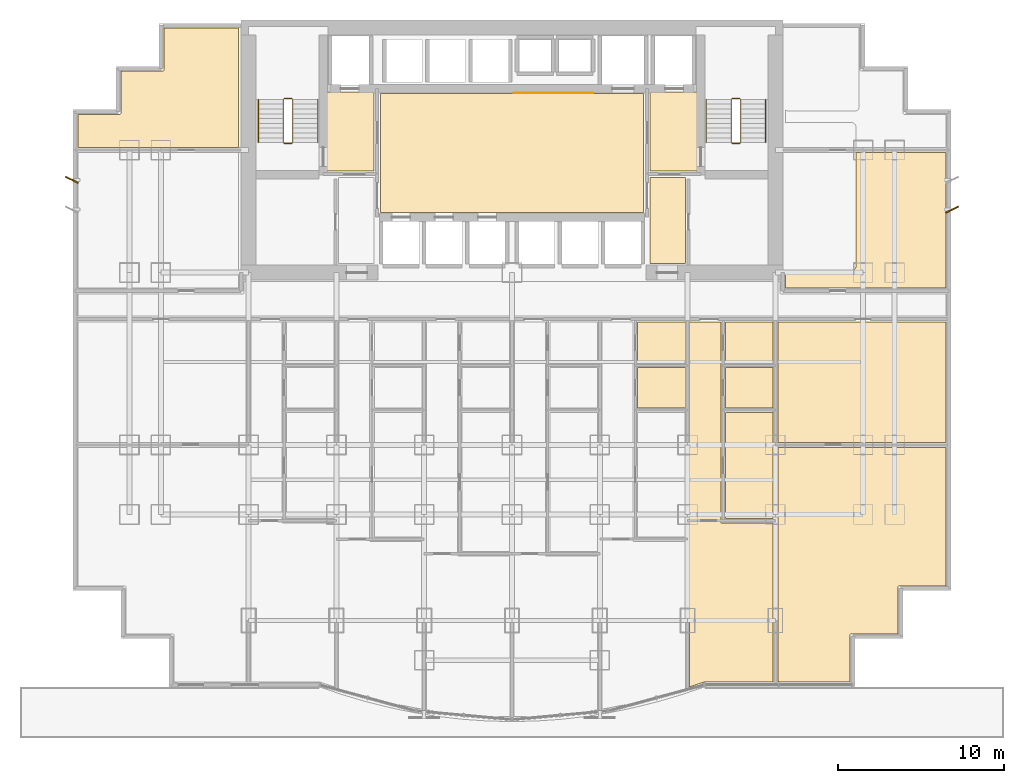
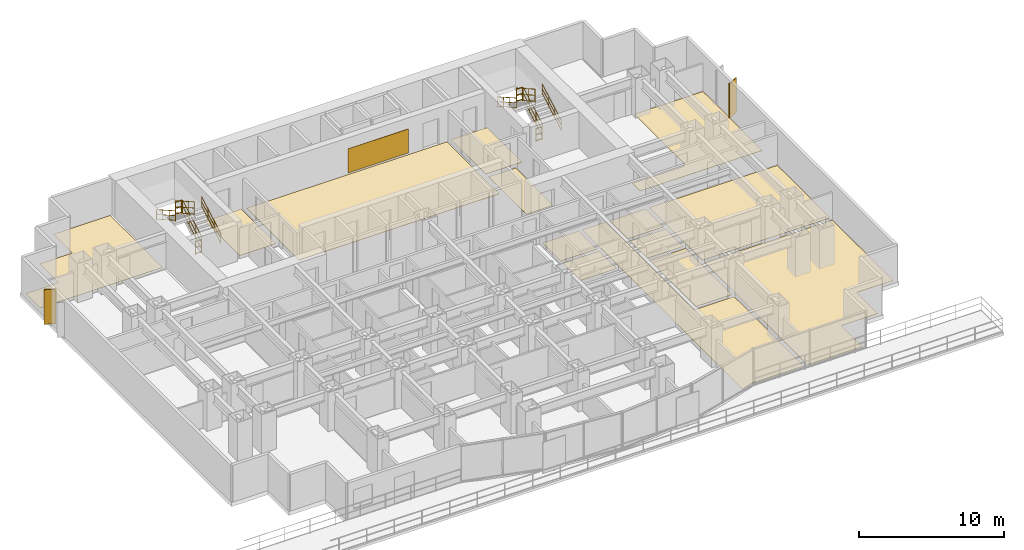
# One storey, part 10 of 11: 15 coverings, 12 railings, 2 shading devices.
"""IFC4 building model written with IfcOpenShell, lengths in metres."""

from ifc_helpers import new_model, si_unit, direction, frame, origin, origin_2d, place, context, subcontext, project, spatial, polyline, rectangle, circle, outline, extrude, source, transform, mapped, material, layer, layer_set, type_object, element, save


model = new_model("IFC4")

# Units and contexts
model_context = context("Model", 3, precision=1e-05, world=origin(), true_north=direction((0.0, 1.0)))
body_context = subcontext(model_context, "Body", "Model", "MODEL_VIEW")
ifc_project = project(units=[si_unit("LENGTHUNIT", "METRE"), si_unit("AREAUNIT", "SQUARE_METRE"), si_unit("VOLUMEUNIT", "CUBIC_METRE"), si_unit("PLANEANGLEUNIT", "RADIAN"), si_unit("MASSUNIT", "GRAM", prefix="KILO")], contexts=[model_context])

# Site, building, storey
site_placement = place(None, origin())
site = spatial("IfcSite", under=ifc_project, at=site_placement, CompositionType="ELEMENT")
building_placement = place(site_placement, origin())
building = spatial("IfcBuilding", under=site, at=building_placement, Name="Qianlan Lanfeng Residences", CompositionType="ELEMENT")
storey_placement = place(building_placement, frame((0.0, 0.0, 24.199951171875)))
storey = spatial("IfcBuildingStorey", under=building, at=storey_placement, Name="L05", CompositionType="ELEMENT", Elevation=24.199951171875)

# Coverings
ifc_material_1 = material(Name="Anodised Bronze Feature Wall Cladding")
ifc_layer_1 = layer(ifc_material_1, 0.02490234375)
ifc_layer_set_1 = layer_set([ifc_layer_1], Name="Anodised Bronze Feature Wall Cladding")
covering_type_1 = type_object("IfcCoveringType", Name="CLD-BRZ-25", PredefinedType="CLADDING", material=ifc_layer_set_1)
covering_1_placement = place(storey_placement, frame((0.0, 0.0, 0.150146484375)))
element("IfcCovering", 1, at=covering_1_placement, inside=storey, type_object=covering_type_1, Name="L05 Lift Lobby Bronze Feature Cladding", PredefinedType="CLADDING", context=body_context, shape_type="SweptSolid", body=[
    extrude(outline(polyline([(26.60009765625, 36.02490234375), (31.39990234375, 36.02490234375), (31.39990234375, 36.050048828125), (26.60009765625, 36.050048828125), (26.60009765625, 36.02490234375)])), origin(), (0.0, 0.0, 1.0), 2.02001953125),
])
ifc_material_2 = material(Name="Honed Taitung Granite Stone Flooring", Category="masonry")
ifc_layer_2 = layer(ifc_material_2, 0.030029296875)
ifc_layer_set_2 = layer_set([ifc_layer_2], Name="Honed Taitung Granite Stone Flooring")
covering_type_2 = type_object("IfcCoveringType", Name="FLR-STN-30", PredefinedType="FLOORING", material=ifc_layer_set_2)
covering_2_placement = place(storey_placement, origin())
element("IfcCovering", 2, at=covering_2_placement, inside=storey, type_object=covering_type_2, Name="L05 Firefighting Lift Lobby Floor Finish", PredefinedType="FLOORING", context=body_context, shape_type="SweptSolid", body=[
    extrude(outline(polyline([(15.2900390625, 31.320068359375), (18.179931640625, 31.320068359375), (18.179931640625, 36.110107421875), (15.2900390625, 36.110107421875), (15.2900390625, 31.320068359375)])), origin(), (0.0, 0.0, 1.0), 0.030029296875),
])
covering_3_placement = place(storey_placement, origin())
element("IfcCovering", 3, at=covering_3_placement, inside=storey, type_object=covering_type_2, Name="L05 Firefighting Lift Lobby Floor Finish", PredefinedType="FLOORING", context=body_context, shape_type="SweptSolid", body=[
    extrude(outline(polyline([(34.820068359375, 31.320068359375), (37.7099609375, 31.320068359375), (37.7099609375, 36.110107421875), (34.820068359375, 36.110107421875), (34.820068359375, 31.320068359375)])), origin(), (0.0, 0.0, 1.0), 0.030029296875),
])
covering_4_placement = place(storey_placement, origin())
element("IfcCovering", 4, at=covering_4_placement, inside=storey, type_object=covering_type_2, Name="L05 Lift Lobby Floor Finish", PredefinedType="FLOORING", context=body_context, shape_type="SweptSolid", body=[
    extrude(outline(polyline([(18.550048828125, 28.820068359375), (34.449951171875, 28.820068359375), (34.449951171875, 36.010009765625), (18.550048828125, 36.010009765625), (18.550048828125, 28.820068359375)])), origin(), (0.0, 0.0, 1.0), 0.030029296875),
])
covering_5_placement = place(storey_placement, origin())
element("IfcCovering", 5, at=covering_5_placement, inside=storey, type_object=covering_type_2, Name="L05 Lift Lobby Floor Finish", PredefinedType="FLOORING", context=body_context, shape_type="SweptSolid", body=[
    extrude(outline(polyline([(34.830078125, 25.760009765625), (36.969970703125, 25.760009765625), (36.969970703125, 30.949951171875), (34.830078125, 30.949951171875), (34.830078125, 25.760009765625)])), origin(), (0.0, 0.0, 1.0), 0.030029296875),
])
ifc_material_3 = material(Name="Slip-Resistant Porcelain Tile Flooring")
ifc_layer_3 = layer(ifc_material_3, 0.02001953125)
ifc_layer_set_3 = layer_set([ifc_layer_3], Name="Slip-Resistant Porcelain Tile Flooring")
covering_type_3 = type_object("IfcCoveringType", Name="FLR-TIL-20", PredefinedType="FLOORING", material=ifc_layer_set_3)
covering_6_placement = place(storey_placement, origin())
element("IfcCovering", 6, at=covering_6_placement, inside=storey, type_object=covering_type_3, Name="L05 Kitchen Floor Finish", PredefinedType="FLOORING", context=body_context, shape_type="SweptSolid", body=[
    extrude(outline(polyline([(34.090087890625, 17.0400390625), (36.9599609375, 17.0400390625), (36.9599609375, 19.4599609375), (34.090087890625, 19.4599609375), (34.090087890625, 17.0400390625)])), origin(), (0.0, 0.0, 1.0), 0.02001953125),
])
covering_7_placement = place(storey_placement, origin())
element("IfcCovering", 7, at=covering_7_placement, inside=storey, type_object=covering_type_3, Name="L05 Bathroom Floor Finish", PredefinedType="FLOORING", context=body_context, shape_type="SweptSolid", body=[
    extrude(outline(polyline([(34.090087890625, 19.739990234375), (36.9599609375, 19.739990234375), (36.9599609375, 22.22998046875), (34.090087890625, 22.22998046875), (34.090087890625, 19.739990234375)])), origin(), (0.0, 0.0, 1.0), 0.02001953125),
])
covering_8_placement = place(storey_placement, origin())
element("IfcCovering", 8, at=covering_8_placement, inside=storey, type_object=covering_type_3, Name="L05 Kitchen Floor Finish", PredefinedType="FLOORING", context=body_context, shape_type="SweptSolid", body=[
    extrude(outline(polyline([(39.389892578125, 17.0400390625), (42.260009765625, 17.0400390625), (42.260009765625, 19.4599609375), (39.389892578125, 19.4599609375), (39.389892578125, 17.0400390625)])), origin(), (0.0, 0.0, 1.0), 0.02001953125),
])
covering_9_placement = place(storey_placement, origin())
element("IfcCovering", 9, at=covering_9_placement, inside=storey, type_object=covering_type_3, Name="L05 Bathroom Floor Finish", PredefinedType="FLOORING", context=body_context, shape_type="SweptSolid", body=[
    extrude(outline(polyline([(39.389892578125, 19.739990234375), (42.260009765625, 19.739990234375), (42.260009765625, 22.22998046875), (39.389892578125, 22.22998046875), (39.389892578125, 19.739990234375)])), origin(), (0.0, 0.0, 1.0), 0.02001953125),
])
ifc_material_4 = material(Name="Engineered Smoked Oak Timber Flooring", Category="wood")
ifc_layer_4 = layer(ifc_material_4, 0.02197265625)
ifc_layer_set_4 = layer_set([ifc_layer_4], Name="Engineered Smoked Oak Timber Flooring")
covering_type_4 = type_object("IfcCoveringType", Name="FLR-TIM-22", PredefinedType="FLOORING", material=ifc_layer_set_4)
covering_10_placement = place(storey_placement, origin())
element("IfcCovering", 10, at=covering_10_placement, inside=storey, type_object=covering_type_4, Name="L05 Studio Living Room Floor Finish", PredefinedType="FLOORING", context=body_context, shape_type="SweptSolid", body=[
    extrude(outline(polyline([(42.27001953125, 0.489990234375), (42.27001953125, 10.080078125), (39.179931640625, 10.080078125), (39.173095703125, 10.080078125), (39.166015625, 10.0810546875), (39.159912109375, 10.0830078125), (39.153076171875, 10.0849609375), (39.14697265625, 10.087890625), (39.14111328125, 10.092041015625), (39.135986328125, 10.095947265625), (39.131103515625, 10.10107421875), (39.1259765625, 10.10595703125), (39.1220703125, 10.111083984375), (39.117919921875, 10.116943359375), (39.114990234375, 10.123046875), (39.113037109375, 10.1298828125), (39.111083984375, 10.135986328125), (39.110107421875, 10.14306640625), (39.110107421875, 10.14990234375), (39.110107421875, 22.22998046875), (37.22998046875, 22.22998046875), (37.22998046875, 0.195068359375), (38.091064453125, 0.486083984375), (38.09912109375, 0.488037109375), (38.10595703125, 0.489990234375), (38.114013671875, 0.489990234375), (42.27001953125, 0.489990234375)])), origin(), (0.0, 0.0, 1.0), 0.02197265625),
])
covering_11_placement = place(storey_placement, origin())
element("IfcCovering", 11, at=covering_11_placement, inside=storey, type_object=covering_type_4, Name="L05 Villa Family Sitting Room Floor Finish", PredefinedType="FLOORING", context=body_context, shape_type="SweptSolid", body=[
    extrude(outline(polyline([(39.389892578125, 16.760009765625), (39.389892578125, 10.360107421875), (42.27001953125, 10.360107421875), (42.27001953125, 16.760009765625), (39.389892578125, 16.760009765625)])), origin(), (0.0, 0.0, 1.0), 0.02197265625),
])
covering_12_placement = place(storey_placement, origin())
element("IfcCovering", 12, at=covering_12_placement, inside=storey, type_object=covering_type_4, Name="L05 Sunroom Floor Finish", PredefinedType="FLOORING", context=body_context, shape_type="SweptSolid", body=[
    extrude(outline(polyline([(52.7099609375, 14.64990234375), (42.56005859375, 14.64990234375), (42.56005859375, 0.489990234375), (46.909912109375, 0.489990234375), (46.909912109375, 3.320068359375), (46.909912109375, 3.326904296875), (46.910888671875, 3.333984375), (46.9130859375, 3.340087890625), (46.9150390625, 3.346923828125), (46.91796875, 3.35302734375), (46.922119140625, 3.35888671875), (46.926025390625, 3.364013671875), (46.930908203125, 3.368896484375), (46.93603515625, 3.3740234375), (46.94091796875, 3.3779296875), (46.947021484375, 3.382080078125), (46.952880859375, 3.385009765625), (46.9599609375, 3.386962890625), (46.966064453125, 3.388916015625), (46.972900390625, 3.389892578125), (46.97998046875, 3.389892578125), (49.81005859375, 3.389892578125), (49.81005859375, 6.219970703125), (49.81005859375, 6.22705078125), (49.81103515625, 6.23388671875), (49.81298828125, 6.239990234375), (49.81494140625, 6.2470703125), (49.818115234375, 6.2529296875), (49.822021484375, 6.259033203125), (49.825927734375, 6.263916015625), (49.8310546875, 6.26904296875), (49.8359375, 6.27392578125), (49.841064453125, 6.278076171875), (49.846923828125, 6.281982421875), (49.85302734375, 6.284912109375), (49.860107421875, 6.287109375), (49.865966796875, 6.2890625), (49.873046875, 6.2900390625), (49.8798828125, 6.2900390625), (52.7099609375, 6.2900390625), (52.7099609375, 14.64990234375)])), origin(), (0.0, 0.0, 1.0), 0.02197265625),
])
covering_13_placement = place(storey_placement, origin())
element("IfcCovering", 13, at=covering_13_placement, inside=storey, type_object=covering_type_4, Name="L05 Private Study Floor Finish", PredefinedType="FLOORING", context=body_context, shape_type="SweptSolid", body=[
    extrude(outline(polyline([(52.7099609375, 22.22998046875), (42.56005859375, 22.22998046875), (42.56005859375, 14.949951171875), (52.7099609375, 14.949951171875), (52.7099609375, 22.22998046875)])), origin(), (0.0, 0.0, 1.0), 0.02197265625),
])
covering_14_placement = place(storey_placement, origin())
element("IfcCovering", 14, at=covering_14_placement, inside=storey, type_object=covering_type_4, Name="L05 Resident Lounge Floor Finish", PredefinedType="FLOORING", context=body_context, shape_type="SweptSolid", body=[
    extrude(outline(polyline([(0.2900390625, 32.75), (10.0, 32.75), (10.0, 39.9599609375), (5.489990234375, 39.9599609375), (5.489990234375, 37.429931640625), (5.489990234375, 37.423095703125), (5.489013671875, 37.416015625), (5.487060546875, 37.409912109375), (5.485107421875, 37.403076171875), (5.48193359375, 37.39697265625), (5.47802734375, 37.39111328125), (5.47412109375, 37.385986328125), (5.468994140625, 37.381103515625), (5.464111328125, 37.3759765625), (5.458984375, 37.3720703125), (5.452880859375, 37.367919921875), (5.447021484375, 37.364990234375), (5.43994140625, 37.363037109375), (5.43408203125, 37.361083984375), (5.427001953125, 37.360107421875), (5.419921875, 37.360107421875), (2.889892578125, 37.360107421875), (2.889892578125, 34.830078125), (2.889892578125, 34.822998046875), (2.888916015625, 34.81591796875), (2.886962890625, 34.81005859375), (2.885009765625, 34.802978515625), (2.882080078125, 34.797119140625), (2.8779296875, 34.791015625), (2.8740234375, 34.785888671875), (2.868896484375, 34.781005859375), (2.864013671875, 34.77587890625), (2.85888671875, 34.77197265625), (2.85302734375, 34.76806640625), (2.846923828125, 34.764892578125), (2.840087890625, 34.762939453125), (2.833984375, 34.760986328125), (2.826904296875, 34.760009765625), (2.820068359375, 34.760009765625), (0.2900390625, 34.760009765625), (0.2900390625, 32.75)])), origin(), (0.0, 0.0, 1.0), 0.02197265625),
])
covering_15_placement = place(storey_placement, origin())
element("IfcCovering", 15, at=covering_15_placement, inside=storey, type_object=covering_type_4, Name="L05 Co-Working Business Suite Floor Finish", PredefinedType="FLOORING", context=body_context, shape_type="SweptSolid", body=[
    extrude(outline(polyline([(52.7099609375, 32.449951171875), (47.27001953125, 32.449951171875), (47.27001953125, 25.60009765625), (47.26904296875, 25.574951171875), (47.264892578125, 25.551025390625), (47.259033203125, 25.527099609375), (47.2509765625, 25.50390625), (47.239990234375, 25.48193359375), (47.22802734375, 25.4609375), (47.212890625, 25.44091796875), (47.197021484375, 25.423095703125), (47.178955078125, 25.406982421875), (47.158935546875, 25.39208984375), (47.137939453125, 25.3798828125), (47.115966796875, 25.368896484375), (47.093017578125, 25.361083984375), (47.069091796875, 25.35498046875), (47.044921875, 25.35107421875), (47.02001953125, 25.35009765625), (43.080078125, 25.35009765625), (43.054931640625, 25.35107421875), (43.031005859375, 25.35498046875), (43.007080078125, 25.361083984375), (43.0, 25.363037109375), (43.0, 24.280029296875), (52.7099609375, 24.280029296875), (52.7099609375, 32.449951171875)])), origin(), (0.0, 0.0, 1.0), 0.02197265625),
])

# Railings
ifc_material_5 = material(Name="Painted Galvanised Steel Guardrail", Category="steel")
railing_type_1 = type_object("IfcRailingType", Name="GR-ST-1120", PredefinedType="GUARDRAIL", material=ifc_material_5)
railing_1_placement = place(storey_placement, frame((13.27001953125, 33.050048828125, 0.1650390625)))
element("IfcRailing", 16, at=railing_1_placement, inside=storey, type_object=railing_type_1, Name="L05 ST-1 stair guard 1", PredefinedType="GUARDRAIL", context=body_context, shape_type="SweptSolid", body=[
    extrude(circle(Radius=0.02392578125, at=origin_2d()), frame((0.0, 0.0, 0.083984375), z_axis=(0.0, 0.869137319866, 0.494570843475), x_axis=(-1.0, 0.0, 0.0)), (0.0, 0.0, 1.0), 3.0029296875),
    extrude(circle(Radius=0.02392578125, at=origin_2d()), frame((0.0, 0.0, 0.58251953125), z_axis=(0.0, 0.869137319866, 0.494570843475), x_axis=(-1.0, 0.0, 0.0)), (0.0, 0.0, 1.0), 3.0029296875),
    extrude(circle(Radius=0.02392578125, at=origin_2d()), frame((0.0, 0.0, 1.09619140625), z_axis=(0.0, 0.869137319866, 0.494570843475), x_axis=(-1.0, 0.0, 0.0)), (0.0, 0.0, 1.0), 3.0029296875),
    extrude(circle(Radius=0.02099609375, at=origin_2d()), origin(), (0.0, 0.0, 1.0), 1.072021484375),
    extrude(circle(Radius=0.02099609375, at=origin_2d()), frame((0.0, 0.869873046875, 0.4951171875)), (0.0, 0.0, 1.0), 1.072021484375),
    extrude(circle(Radius=0.02099609375, at=origin_2d()), frame((0.0, 1.739990234375, 0.989990234375)), (0.0, 0.0, 1.0), 1.072021484375),
    extrude(circle(Radius=0.02099609375, at=origin_2d()), frame((0.0, 2.60986328125, 1.485107421875)), (0.0, 0.0, 1.0), 1.072021484375),
])
railing_2_placement = place(storey_placement, frame((13.219970703125, 35.7099609375, 1.650146484375)))
element("IfcRailing", 17, at=railing_2_placement, inside=storey, type_object=railing_type_1, Name="L05 ST-1 stair guard 2", PredefinedType="GUARDRAIL", context=body_context, shape_type="SweptSolid", body=[
    extrude(circle(Radius=0.02392578125, at=origin_2d()), frame((0.0, 0.0, 0.083984375), z_axis=(-1.0, 0.0, 0.0), x_axis=(0.0, -1.0, 0.0)), (0.0, 0.0, 1.0), 0.47998046875),
    extrude(circle(Radius=0.02392578125, at=origin_2d()), frame((0.0, 0.0, 0.58251953125), z_axis=(-1.0, 0.0, 0.0), x_axis=(0.0, -1.0, 0.0)), (0.0, 0.0, 1.0), 0.47998046875),
    extrude(circle(Radius=0.02392578125, at=origin_2d()), frame((0.0, 0.0, 1.09619140625), z_axis=(-1.0, 0.0, 0.0), x_axis=(0.0, -1.0, 0.0)), (0.0, 0.0, 1.0), 0.47998046875),
    extrude(circle(Radius=0.02099609375, at=origin_2d()), origin(), (0.0, 0.0, 1.0), 1.072021484375),
    extrude(circle(Radius=0.02099609375, at=origin_2d()), frame((-0.47998046875, 0.0, 0.0)), (0.0, 0.0, 1.0), 1.072021484375),
])
railing_3_placement = place(storey_placement, frame((12.68994140625, 35.659912109375, 1.81494140625)))
element("IfcRailing", 18, at=railing_3_placement, inside=storey, type_object=railing_type_1, Name="L05 ST-1 stair guard 3", PredefinedType="GUARDRAIL", context=body_context, shape_type="SweptSolid", body=[
    extrude(circle(Radius=0.02392578125, at=origin_2d()), frame((0.0, 0.0, 0.083984375), z_axis=(0.0, -0.869137319866, 0.494570843475), x_axis=(1.0, 0.0, 0.0)), (0.0, 0.0, 1.0), 3.0029296875),
    extrude(circle(Radius=0.02392578125, at=origin_2d()), frame((0.0, 0.0, 0.58251953125), z_axis=(0.0, -0.869137319866, 0.494570843475), x_axis=(1.0, 0.0, 0.0)), (0.0, 0.0, 1.0), 3.0029296875),
    extrude(circle(Radius=0.02392578125, at=origin_2d()), frame((0.0, 0.0, 1.09619140625), z_axis=(0.0, -0.869137319866, 0.494570843475), x_axis=(1.0, 0.0, 0.0)), (0.0, 0.0, 1.0), 3.0029296875),
    extrude(circle(Radius=0.02099609375, at=origin_2d()), origin(), (0.0, 0.0, 1.0), 1.072021484375),
    extrude(circle(Radius=0.02099609375, at=origin_2d()), frame((0.0, -0.869873046875, 0.4951171875)), (0.0, 0.0, 1.0), 1.072021484375),
    extrude(circle(Radius=0.02099609375, at=origin_2d()), frame((0.0, -1.739990234375, 0.989990234375)), (0.0, 0.0, 1.0), 1.072021484375),
    extrude(circle(Radius=0.02099609375, at=origin_2d()), frame((0.0, -2.60986328125, 1.485107421875)), (0.0, 0.0, 1.0), 1.072021484375),
])
railing_4_placement = place(storey_placement, frame((13.219970703125, 33.0, 0.0)))
element("IfcRailing", 19, at=railing_4_placement, inside=storey, type_object=railing_type_1, Name="L05 ST-1 stair guard 4", PredefinedType="GUARDRAIL", context=body_context, shape_type="SweptSolid", body=[
    extrude(circle(Radius=0.02392578125, at=origin_2d()), frame((0.0, 0.0, 0.083984375), z_axis=(-1.0, 0.0, 0.0), x_axis=(0.0, -1.0, 0.0)), (0.0, 0.0, 1.0), 0.47998046875),
    extrude(circle(Radius=0.02392578125, at=origin_2d()), frame((0.0, 0.0, 0.58251953125), z_axis=(-1.0, 0.0, 0.0), x_axis=(0.0, -1.0, 0.0)), (0.0, 0.0, 1.0), 0.47998046875),
    extrude(circle(Radius=0.02392578125, at=origin_2d()), frame((0.0, 0.0, 1.09619140625), z_axis=(-1.0, 0.0, 0.0), x_axis=(0.0, -1.0, 0.0)), (0.0, 0.0, 1.0), 0.47998046875),
    extrude(circle(Radius=0.02099609375, at=origin_2d()), origin(), (0.0, 0.0, 1.0), 1.072021484375),
    extrude(circle(Radius=0.02099609375, at=origin_2d()), frame((-0.47998046875, 0.0, 0.0)), (0.0, 0.0, 1.0), 1.072021484375),
])
railing_5_placement = place(storey_placement, frame((40.31005859375, 33.050048828125, 0.1650390625)))
element("IfcRailing", 20, at=railing_5_placement, inside=storey, type_object=railing_type_1, Name="L05 ST-2 stair guard 1", PredefinedType="GUARDRAIL", context=body_context, shape_type="SweptSolid", body=[
    extrude(circle(Radius=0.02392578125, at=origin_2d()), frame((0.0, 0.0, 0.083984375), z_axis=(0.0, 0.869137319866, 0.494570843475), x_axis=(-1.0, 0.0, 0.0)), (0.0, 0.0, 1.0), 3.0029296875),
    extrude(circle(Radius=0.02392578125, at=origin_2d()), frame((0.0, 0.0, 0.58251953125), z_axis=(0.0, 0.869137319866, 0.494570843475), x_axis=(-1.0, 0.0, 0.0)), (0.0, 0.0, 1.0), 3.0029296875),
    extrude(circle(Radius=0.02392578125, at=origin_2d()), frame((0.0, 0.0, 1.09619140625), z_axis=(0.0, 0.869137319866, 0.494570843475), x_axis=(-1.0, 0.0, 0.0)), (0.0, 0.0, 1.0), 3.0029296875),
    extrude(circle(Radius=0.02099609375, at=origin_2d()), origin(), (0.0, 0.0, 1.0), 1.072021484375),
    extrude(circle(Radius=0.02099609375, at=origin_2d()), frame((0.0, 0.869873046875, 0.4951171875)), (0.0, 0.0, 1.0), 1.072021484375),
    extrude(circle(Radius=0.02099609375, at=origin_2d()), frame((0.0, 1.739990234375, 0.989990234375)), (0.0, 0.0, 1.0), 1.072021484375),
    extrude(circle(Radius=0.02099609375, at=origin_2d()), frame((0.0, 2.60986328125, 1.485107421875)), (0.0, 0.0, 1.0), 1.072021484375),
])
railing_6_placement = place(storey_placement, frame((40.260009765625, 35.7099609375, 1.650146484375)))
element("IfcRailing", 21, at=railing_6_placement, inside=storey, type_object=railing_type_1, Name="L05 ST-2 stair guard 2", PredefinedType="GUARDRAIL", context=body_context, shape_type="SweptSolid", body=[
    extrude(circle(Radius=0.02392578125, at=origin_2d()), frame((0.0, 0.0, 0.083984375), z_axis=(-1.0, 0.0, 0.0), x_axis=(0.0, -1.0, 0.0)), (0.0, 0.0, 1.0), 0.47998046875),
    extrude(circle(Radius=0.02392578125, at=origin_2d()), frame((0.0, 0.0, 0.58251953125), z_axis=(-1.0, 0.0, 0.0), x_axis=(0.0, -1.0, 0.0)), (0.0, 0.0, 1.0), 0.47998046875),
    extrude(circle(Radius=0.02392578125, at=origin_2d()), frame((0.0, 0.0, 1.09619140625), z_axis=(-1.0, 0.0, 0.0), x_axis=(0.0, -1.0, 0.0)), (0.0, 0.0, 1.0), 0.47998046875),
    extrude(circle(Radius=0.02099609375, at=origin_2d()), origin(), (0.0, 0.0, 1.0), 1.072021484375),
    extrude(circle(Radius=0.02099609375, at=origin_2d()), frame((-0.47998046875, 0.0, 0.0)), (0.0, 0.0, 1.0), 1.072021484375),
])
railing_7_placement = place(storey_placement, frame((39.72998046875, 35.659912109375, 1.81494140625)))
element("IfcRailing", 22, at=railing_7_placement, inside=storey, type_object=railing_type_1, Name="L05 ST-2 stair guard 3", PredefinedType="GUARDRAIL", context=body_context, shape_type="SweptSolid", body=[
    extrude(circle(Radius=0.02392578125, at=origin_2d()), frame((0.0, 0.0, 0.083984375), z_axis=(0.0, -0.869137319866, 0.494570843475), x_axis=(1.0, 0.0, 0.0)), (0.0, 0.0, 1.0), 3.0029296875),
    extrude(circle(Radius=0.02392578125, at=origin_2d()), frame((0.0, 0.0, 0.58251953125), z_axis=(0.0, -0.869137319866, 0.494570843475), x_axis=(1.0, 0.0, 0.0)), (0.0, 0.0, 1.0), 3.0029296875),
    extrude(circle(Radius=0.02392578125, at=origin_2d()), frame((0.0, 0.0, 1.09619140625), z_axis=(0.0, -0.869137319866, 0.494570843475), x_axis=(1.0, 0.0, 0.0)), (0.0, 0.0, 1.0), 3.0029296875),
    extrude(circle(Radius=0.02099609375, at=origin_2d()), origin(), (0.0, 0.0, 1.0), 1.072021484375),
    extrude(circle(Radius=0.02099609375, at=origin_2d()), frame((0.0, -0.869873046875, 0.4951171875)), (0.0, 0.0, 1.0), 1.072021484375),
    extrude(circle(Radius=0.02099609375, at=origin_2d()), frame((0.0, -1.739990234375, 0.989990234375)), (0.0, 0.0, 1.0), 1.072021484375),
    extrude(circle(Radius=0.02099609375, at=origin_2d()), frame((0.0, -2.60986328125, 1.485107421875)), (0.0, 0.0, 1.0), 1.072021484375),
])
railing_8_placement = place(storey_placement, frame((40.260009765625, 33.0, 0.0)))
element("IfcRailing", 23, at=railing_8_placement, inside=storey, type_object=railing_type_1, Name="L05 ST-2 stair guard 4", PredefinedType="GUARDRAIL", context=body_context, shape_type="SweptSolid", body=[
    extrude(circle(Radius=0.02392578125, at=origin_2d()), frame((0.0, 0.0, 0.083984375), z_axis=(-1.0, 0.0, 0.0), x_axis=(0.0, -1.0, 0.0)), (0.0, 0.0, 1.0), 0.47998046875),
    extrude(circle(Radius=0.02392578125, at=origin_2d()), frame((0.0, 0.0, 0.58251953125), z_axis=(-1.0, 0.0, 0.0), x_axis=(0.0, -1.0, 0.0)), (0.0, 0.0, 1.0), 0.47998046875),
    extrude(circle(Radius=0.02392578125, at=origin_2d()), frame((0.0, 0.0, 1.09619140625), z_axis=(-1.0, 0.0, 0.0), x_axis=(0.0, -1.0, 0.0)), (0.0, 0.0, 1.0), 0.47998046875),
    extrude(circle(Radius=0.02099609375, at=origin_2d()), origin(), (0.0, 0.0, 1.0), 1.072021484375),
    extrude(circle(Radius=0.02099609375, at=origin_2d()), frame((-0.47998046875, 0.0, 0.0)), (0.0, 0.0, 1.0), 1.072021484375),
])
ifc_material_6 = material(Name="Brushed Stainless Steel Handrail", Category="steel")
railing_type_2 = type_object("IfcRailingType", Name="HR-ST-920", PredefinedType="HANDRAIL", material=ifc_material_6)
railing_9_placement = place(storey_placement, frame((14.77001953125, 33.050048828125, 0.1650390625)))
element("IfcRailing", 24, at=railing_9_placement, inside=storey, type_object=railing_type_2, Name="L05 ST-1 stair handrail 1", PredefinedType="HANDRAIL", context=body_context, shape_type="SweptSolid", body=[
    extrude(circle(Radius=0.02392578125, at=origin_2d()), frame((0.0, 0.0, 0.083984375), z_axis=(0.0, 0.869137319866, 0.494570843475), x_axis=(-1.0, 0.0, 0.0)), (0.0, 0.0, 1.0), 3.0029296875),
    extrude(circle(Radius=0.02392578125, at=origin_2d()), frame((0.0, 0.0, 0.468017578125), z_axis=(0.0, 0.869137319866, 0.494570843475), x_axis=(-1.0, 0.0, 0.0)), (0.0, 0.0, 1.0), 3.0029296875),
    extrude(circle(Radius=0.02392578125, at=origin_2d()), frame((0.0, 0.0, 0.8759765625), z_axis=(0.0, 0.869137319866, 0.494570843475), x_axis=(-1.0, 0.0, 0.0)), (0.0, 0.0, 1.0), 3.0029296875),
    extrude(circle(Radius=0.02099609375, at=origin_2d()), origin(), (0.0, 0.0, 1.0), 0.851806640625),
    extrude(circle(Radius=0.02099609375, at=origin_2d()), frame((0.0, 0.869873046875, 0.4951171875)), (0.0, 0.0, 1.0), 0.851806640625),
    extrude(circle(Radius=0.02099609375, at=origin_2d()), frame((0.0, 1.739990234375, 0.989990234375)), (0.0, 0.0, 1.0), 0.851806640625),
    extrude(circle(Radius=0.02099609375, at=origin_2d()), frame((0.0, 2.60986328125, 1.485107421875)), (0.0, 0.0, 1.0), 0.851806640625),
])
railing_10_placement = place(storey_placement, frame((11.18994140625, 35.659912109375, 1.81494140625)))
element("IfcRailing", 25, at=railing_10_placement, inside=storey, type_object=railing_type_2, Name="L05 ST-1 stair handrail 2", PredefinedType="HANDRAIL", context=body_context, shape_type="SweptSolid", body=[
    extrude(circle(Radius=0.02392578125, at=origin_2d()), frame((0.0, 0.0, 0.083984375), z_axis=(0.0, -0.869137319866, 0.494570843475), x_axis=(1.0, 0.0, 0.0)), (0.0, 0.0, 1.0), 3.0029296875),
    extrude(circle(Radius=0.02392578125, at=origin_2d()), frame((0.0, 0.0, 0.468017578125), z_axis=(0.0, -0.869137319866, 0.494570843475), x_axis=(1.0, 0.0, 0.0)), (0.0, 0.0, 1.0), 3.0029296875),
    extrude(circle(Radius=0.02392578125, at=origin_2d()), frame((0.0, 0.0, 0.8759765625), z_axis=(0.0, -0.869137319866, 0.494570843475), x_axis=(1.0, 0.0, 0.0)), (0.0, 0.0, 1.0), 3.0029296875),
    extrude(circle(Radius=0.02099609375, at=origin_2d()), origin(), (0.0, 0.0, 1.0), 0.851806640625),
    extrude(circle(Radius=0.02099609375, at=origin_2d()), frame((0.0, -0.869873046875, 0.4951171875)), (0.0, 0.0, 1.0), 0.851806640625),
    extrude(circle(Radius=0.02099609375, at=origin_2d()), frame((0.0, -1.739990234375, 0.989990234375)), (0.0, 0.0, 1.0), 0.851806640625),
    extrude(circle(Radius=0.02099609375, at=origin_2d()), frame((0.0, -2.60986328125, 1.485107421875)), (0.0, 0.0, 1.0), 0.851806640625),
])
railing_11_placement = place(storey_placement, frame((41.81005859375, 33.050048828125, 0.1650390625)))
element("IfcRailing", 26, at=railing_11_placement, inside=storey, type_object=railing_type_2, Name="L05 ST-2 stair handrail 1", PredefinedType="HANDRAIL", context=body_context, shape_type="SweptSolid", body=[
    extrude(circle(Radius=0.02392578125, at=origin_2d()), frame((0.0, 0.0, 0.083984375), z_axis=(0.0, 0.869137319866, 0.494570843475), x_axis=(-1.0, 0.0, 0.0)), (0.0, 0.0, 1.0), 3.0029296875),
    extrude(circle(Radius=0.02392578125, at=origin_2d()), frame((0.0, 0.0, 0.468017578125), z_axis=(0.0, 0.869137319866, 0.494570843475), x_axis=(-1.0, 0.0, 0.0)), (0.0, 0.0, 1.0), 3.0029296875),
    extrude(circle(Radius=0.02392578125, at=origin_2d()), frame((0.0, 0.0, 0.8759765625), z_axis=(0.0, 0.869137319866, 0.494570843475), x_axis=(-1.0, 0.0, 0.0)), (0.0, 0.0, 1.0), 3.0029296875),
    extrude(circle(Radius=0.02099609375, at=origin_2d()), origin(), (0.0, 0.0, 1.0), 0.851806640625),
    extrude(circle(Radius=0.02099609375, at=origin_2d()), frame((0.0, 0.869873046875, 0.4951171875)), (0.0, 0.0, 1.0), 0.851806640625),
    extrude(circle(Radius=0.02099609375, at=origin_2d()), frame((0.0, 1.739990234375, 0.989990234375)), (0.0, 0.0, 1.0), 0.851806640625),
    extrude(circle(Radius=0.02099609375, at=origin_2d()), frame((0.0, 2.60986328125, 1.485107421875)), (0.0, 0.0, 1.0), 0.851806640625),
])
railing_12_placement = place(storey_placement, frame((38.22998046875, 35.659912109375, 1.81494140625)))
element("IfcRailing", 27, at=railing_12_placement, inside=storey, type_object=railing_type_2, Name="L05 ST-2 stair handrail 2", PredefinedType="HANDRAIL", context=body_context, shape_type="SweptSolid", body=[
    extrude(circle(Radius=0.02392578125, at=origin_2d()), frame((0.0, 0.0, 0.083984375), z_axis=(0.0, -0.869137319866, 0.494570843475), x_axis=(1.0, 0.0, 0.0)), (0.0, 0.0, 1.0), 3.0029296875),
    extrude(circle(Radius=0.02392578125, at=origin_2d()), frame((0.0, 0.0, 0.468017578125), z_axis=(0.0, -0.869137319866, 0.494570843475), x_axis=(1.0, 0.0, 0.0)), (0.0, 0.0, 1.0), 3.0029296875),
    extrude(circle(Radius=0.02392578125, at=origin_2d()), frame((0.0, 0.0, 0.8759765625), z_axis=(0.0, -0.869137319866, 0.494570843475), x_axis=(1.0, 0.0, 0.0)), (0.0, 0.0, 1.0), 3.0029296875),
    extrude(circle(Radius=0.02099609375, at=origin_2d()), origin(), (0.0, 0.0, 1.0), 0.851806640625),
    extrude(circle(Radius=0.02099609375, at=origin_2d()), frame((0.0, -0.869873046875, 0.4951171875)), (0.0, 0.0, 1.0), 0.851806640625),
    extrude(circle(Radius=0.02099609375, at=origin_2d()), frame((0.0, -1.739990234375, 0.989990234375)), (0.0, 0.0, 1.0), 0.851806640625),
    extrude(circle(Radius=0.02099609375, at=origin_2d()), frame((0.0, -2.60986328125, 1.485107421875)), (0.0, 0.0, 1.0), 0.851806640625),
])

# Shading devices
ifc_material_7 = material(Name="Anodised Bronze Aluminium Solar Fin", Category="aluminium")
shading_device_type = type_object("IfcShadingDeviceType", Name="FIN-BRZ-850", PredefinedType="SHUTTER", material=ifc_material_7)
shared_shape = source(origin(), body_context, "Body", "SweptSolid", [
    extrude(rectangle(XDim=0.85009765625, YDim=0.080078125, at=origin_2d()), origin(), (0.0, 0.0, 1.0), 2.89990234375),
])
for number, where, z_axis, x_axis, name in (
    (28, (-0.070068359375, 30.800048828125, 0.0), (0.0, 0.0, 1.0), (0.898794046299, -0.438371146789, 0.0), "L05 Raked Bronze Solar Fin W2"),
    (29, (53.070068359375, 29.0, 0.0), (0.0, 0.0, 1.0), (0.898794046299, 0.438371146789, 0.0), "L05 Raked Bronze Solar Fin E1"),
):
    element("IfcShadingDevice", number, at=place(storey_placement, frame(where, z_axis=z_axis, x_axis=x_axis)), inside=storey, type_object=shading_device_type, Name=name, PredefinedType="SHUTTER", context=body_context, shape_type="MappedRepresentation", body=[
        mapped(shared_shape, transform((0.0, 0.0, 0.0), scale=1.0)),
    ])

save(model, "model.ifc")
